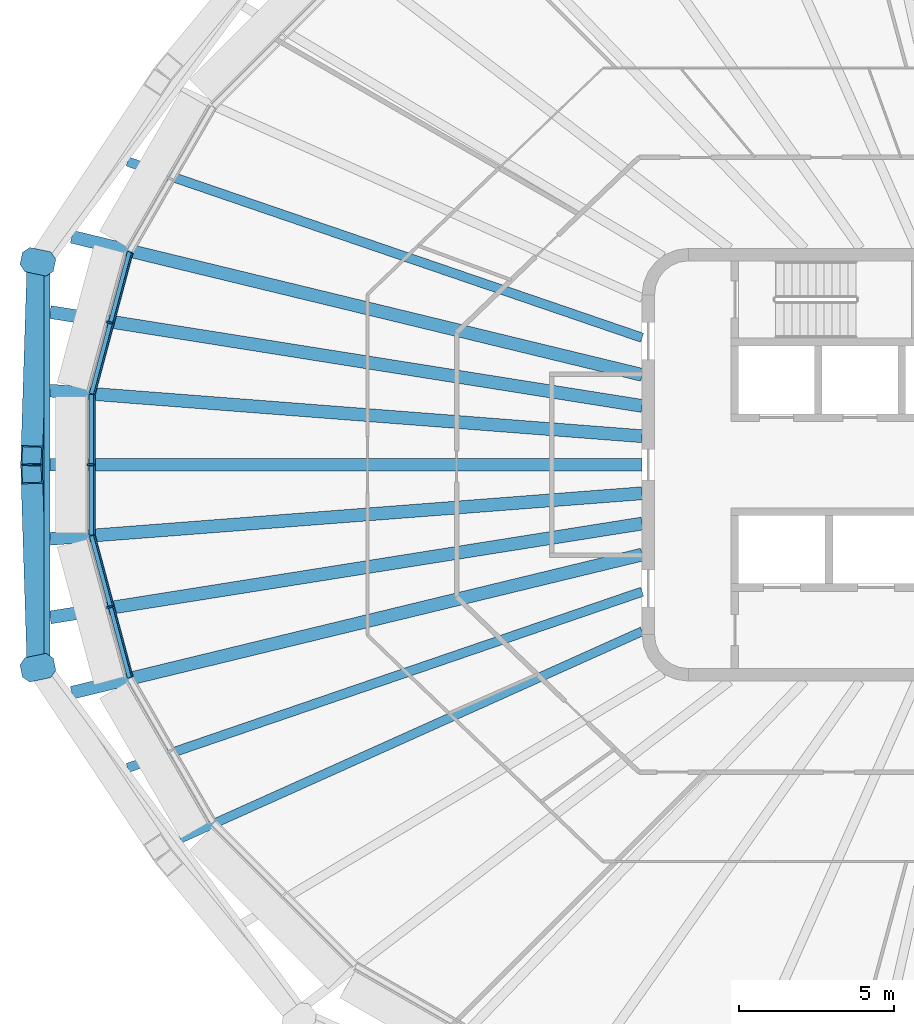
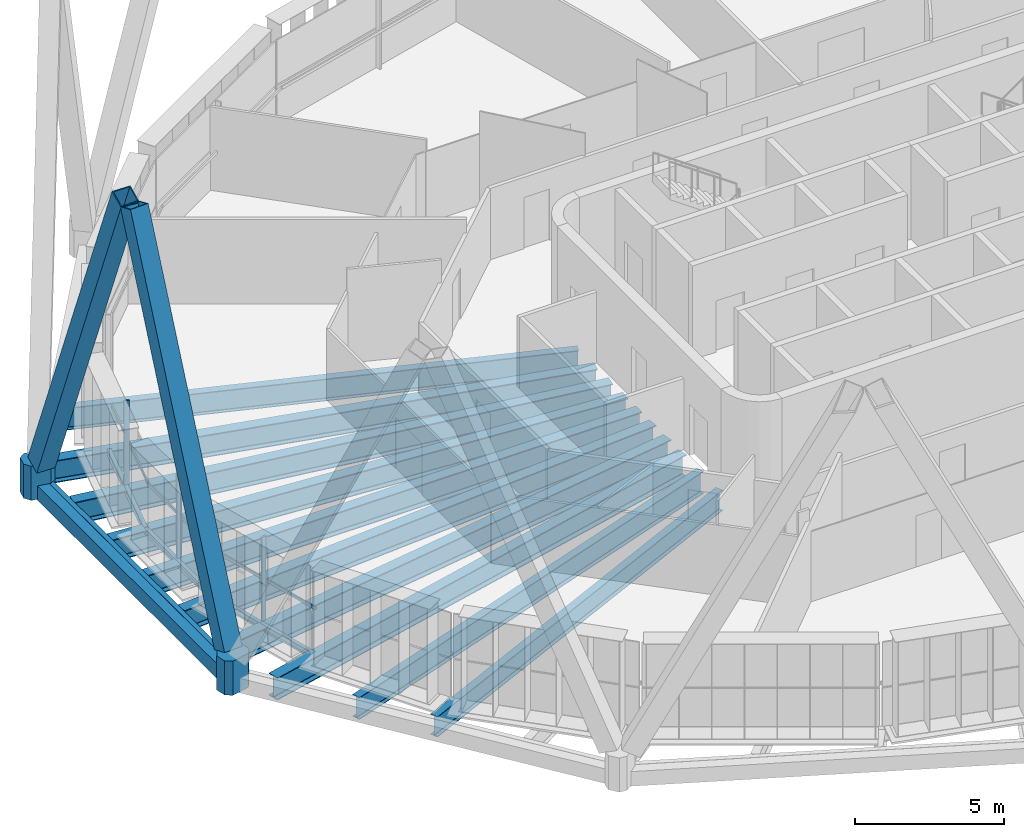
# One storey, part 3 of 20: 15 beams, 10 members, 3 elements without a shape of their own.
"""IFC4 building model written with IfcOpenShell, lengths in metres."""

from ifc_helpers import new_model, si_unit, direction, frame, origin, origin_2d, place, context, subcontext, project, spatial, polyline, rectangle, hollow_rectangle, i_section, outline, extrude, material, layer, layer_set, material_profile, profile_set, type_object, element, aggregate, save


model = new_model("IFC4")

# Units and contexts
model_context = context("Model", 3, precision=1e-05, world=origin(), true_north=direction((0.0, 1.0)))
body_context = subcontext(model_context, "Body", "Model", "MODEL_VIEW")
ifc_project = project(units=[si_unit("LENGTHUNIT", "METRE"), si_unit("AREAUNIT", "SQUARE_METRE"), si_unit("VOLUMEUNIT", "CUBIC_METRE"), si_unit("PLANEANGLEUNIT", "RADIAN"), si_unit("MASSUNIT", "GRAM", prefix="KILO")], contexts=[model_context])

# Site, building, storey
site_placement = place(None, origin())
site = spatial("IfcSite", under=ifc_project, at=site_placement, CompositionType="ELEMENT")
building_placement = place(site_placement, origin())
building = spatial("IfcBuilding", under=site, at=building_placement, Name="Sahrelin Media Tower", CompositionType="ELEMENT")
storey_placement = place(building_placement, frame((0.0, 0.0, 267.0)))
storey = spatial("IfcBuildingStorey", under=building, at=storey_placement, Name="L58", CompositionType="ELEMENT", Elevation=267.0)

# Members
ifc_material_1 = material(Name="Steel S460", Category="steel")
ifc_material_profile_1 = material_profile(ifc_material_1, hollow_rectangle(XDim=0.699951171875, YDim=0.699951171875, WallThickness=0.0400390625, at=origin_2d()), Name="Diagrid diagonal DG7")
ifc_profile_set_1 = profile_set([ifc_material_profile_1], Name="Steel S460")
member_type_1 = type_object("IfcMemberType", Name="Diagrid diagonal DG7", PredefinedType="BRACE", material=ifc_profile_set_1)
for number, where, z_axis, x_axis, name in (
    (1, (-31.559814453125, 6.279052734375, 0.699951171875), (-0.01206557884, -0.379632610131, 0.925058648483), (0.999495326566, -0.031766211178, 0.0), "Diagrid diagonal D13-11"),
    (2, (-31.559814453125, -6.279052734375, 0.699951171875), (-0.01206557884, 0.379632610131, 0.925058648483), (-0.999495326566, -0.031766211178, 0.0), "Diagrid diagonal D13-12"),
):
    element("IfcMember", number, at=place(storey_placement, frame(where, z_axis=z_axis, x_axis=x_axis)), inside=storey, type_object=member_type_1, Name=name, PredefinedType="BRACE", context=body_context, shape_type="SweptSolid", body=[
        extrude(hollow_rectangle(XDim=0.699951171875, YDim=0.699951171875, WallThickness=0.0400390625, at=origin_2d()), origin(), (0.0, 0.0, 1.0), 15.782958984375),
    ])
ifc_material_profile_2 = material_profile(ifc_material_1, outline(polyline([(0.35009765625, -0.39990234375), (0.550048828125, -0.199951171875), (0.550048828125, 0.199951171875), (0.35009765625, 0.39990234375), (-0.35009765625, 0.39990234375), (-0.550048828125, 0.199951171875), (-0.550048828125, -0.199951171875), (-0.35009765625, -0.39990234375), (0.35009765625, -0.39990234375)])), Name="Diagrid node block 1100")
ifc_profile_set_2 = profile_set([ifc_material_profile_2], Name="Steel S460")
member_type_2 = type_object("IfcMemberType", Name="Diagrid node block 1100", PredefinedType="USERDEFINED", material=ifc_profile_set_2)
for number, where, z_axis, x_axis, name in (
    (3, (-31.550537109375, 6.56640625, -0.699951171875), (0.0, 0.0, 1.0), (-0.979022008143, 0.203754527731, 0.0), "Diagrid node N13-05"),
    (4, (-31.550537109375, -6.56640625, -0.699951171875), (0.0, 0.0, 1.0), (-0.979022008143, -0.203754527731, 0.0), "Diagrid node N13-06"),
):
    element("IfcMember", number, at=place(storey_placement, frame(where, z_axis=z_axis, x_axis=x_axis)), inside=storey, type_object=member_type_2, Name=name, ObjectType="NODE", PredefinedType="USERDEFINED", context=body_context, shape_type="SweptSolid", body=[
        extrude(outline(polyline([(0.35009765625, -0.39990234375), (0.550048828125, -0.199951171875), (0.550048828125, 0.199951171875), (0.35009765625, 0.39990234375), (-0.35009765625, 0.39990234375), (-0.550048828125, 0.199951171875), (-0.550048828125, -0.199951171875), (-0.35009765625, -0.39990234375), (0.35009765625, -0.39990234375)])), origin(), (0.0, 0.0, 1.0), 1.39990234375),
    ])

# Beams
ifc_material_profile_3 = material_profile(ifc_material_1, hollow_rectangle(XDim=0.39990234375, YDim=0.60009765625, WallThickness=0.030029296875, at=origin_2d()), Name="Diagrid ring beam RB1")
ifc_profile_set_3 = profile_set([ifc_material_profile_3], Name="Steel S460")
beam_type_1 = type_object("IfcBeamType", Name="Diagrid ring beam RB1", PredefinedType="BEAM", material=ifc_profile_set_3)
beam_1_placement = place(storey_placement, frame((-31.550537109375, 6.56640625, -0.449951171875), z_axis=(0.0, -1.0, 0.0), x_axis=(1.0, 0.0, 0.0)))
element("IfcBeam", 5, at=beam_1_placement, inside=storey, type_object=beam_type_1, Name="Diagrid ring beam RB13-05", PredefinedType="BEAM", context=body_context, shape_type="SweptSolid", body=[
    extrude(hollow_rectangle(XDim=0.39990234375, YDim=0.60009765625, WallThickness=0.030029296875, at=origin_2d()), origin(), (0.0, 0.0, 1.0), 13.1328125),
])
ifc_material_2 = material(Name="Steel S355", Category="steel")
ifc_material_profile_4 = material_profile(ifc_material_2, i_section(OverallWidth=0.14599609375, OverallDepth=0.25146484375, WebThickness=0.006103515625, FlangeThickness=0.008544921875, FilletRadius=0.007568359375, at=origin_2d()), Name="UB 254x146x31")
ifc_profile_set_4 = profile_set([ifc_material_profile_4], Name="Steel S355")
beam_type_2 = type_object("IfcBeamType", Name="Edge beam EB1", PredefinedType="BEAM", material=ifc_profile_set_4)
beam_2_placement = place(storey_placement, frame((-28.583740234375, -6.885986328125, -0.275634765625), z_axis=(-0.258802068425, 0.965930375016, 0.0), x_axis=(-0.965930375016, -0.258802068425, 0.0)))
element("IfcBeam", 6, at=beam_2_placement, inside=storey, type_object=beam_type_2, Name="Edge beam L58-09", PredefinedType="BEAM", context=body_context, shape_type="SweptSolid", body=[
    extrude(i_section(OverallWidth=0.14599609375, OverallDepth=0.25146484375, WebThickness=0.006103515625, FlangeThickness=0.008544921875, FilletRadius=0.007568359375, at=origin_2d()), origin(), (0.0, 0.0, 1.0), 4.746826171875),
])
beam_3_placement = place(storey_placement, frame((-29.816162109375, -2.272216796875, -0.275634765625), z_axis=(0.0, 1.0, 0.0), x_axis=(-1.0, 0.0, 0.0)))
element("IfcBeam", 7, at=beam_3_placement, inside=storey, type_object=beam_type_2, Name="Edge beam L58-10", PredefinedType="BEAM", context=body_context, shape_type="SweptSolid", body=[
    extrude(i_section(OverallWidth=0.14599609375, OverallDepth=0.25146484375, WebThickness=0.006103515625, FlangeThickness=0.008544921875, FilletRadius=0.007568359375, at=origin_2d()), origin(), (0.0, 0.0, 1.0), 4.54443359375),
])
beam_4_placement = place(storey_placement, frame((-29.812255859375, 2.30078125, -0.275634765625), z_axis=(0.258802068425, 0.965930375016, 0.0), x_axis=(-0.965930375016, 0.258802068425, 0.0)))
element("IfcBeam", 8, at=beam_4_placement, inside=storey, type_object=beam_type_2, Name="Edge beam L58-11", PredefinedType="BEAM", context=body_context, shape_type="SweptSolid", body=[
    extrude(i_section(OverallWidth=0.14599609375, OverallDepth=0.25146484375, WebThickness=0.006103515625, FlangeThickness=0.008544921875, FilletRadius=0.007568359375, at=origin_2d()), origin(), (0.0, 0.0, 1.0), 4.746826171875),
])

# Curtain wall, member
ifc_material_3 = material(Name="Champagne anodised aluminium 6063-T6", Category="aluminium")
ifc_layer = layer(ifc_material_3, 0.14990234375)
ifc_layer_set = layer_set([ifc_layer], Name="Tower ribbon curtain wall")
curtain_wall_type = type_object("IfcCurtainWallType", Name="Tower ribbon curtain wall", PredefinedType="NOTDEFINED", material=ifc_layer_set)
curtain_wall_1_placement = place(storey_placement, frame((-29.343017578125, 4.632080078125, 0.0), z_axis=(0.0, 0.0, 1.0), x_axis=(1.0, 0.0, 0.0)))
curtain_wall_1 = element("IfcCurtainWall", 9, at=curtain_wall_1_placement, inside=storey, type_object=curtain_wall_type, Name="L58:CW:L58-11", PredefinedType="NOTDEFINED")
ifc_material_profile_5 = material_profile(ifc_material_3, rectangle(XDim=0.06005859375, YDim=0.199951171875, at=origin_2d()), Name="Mullion 60x200")
ifc_profile_set_5 = profile_set([ifc_material_profile_5], Name="Champagne anodised aluminium 6063-T6")
member_type_3 = type_object("IfcMemberType", Name="Mullion 60x200 CW1C", PredefinedType="MULLION", material=ifc_profile_set_5)
member_1_placement = place(storey_placement, frame((-29.22705078125, 4.60107421875, 0.0), z_axis=(0.0, 0.0, 1.0), x_axis=(-0.258812301662, -0.965927633163, 0.0)))
member_1 = element("IfcMember", 10, at=member_1_placement, type_object=member_type_3, Name="L58:CWM:L58-11", PredefinedType="MULLION", context=body_context, shape_type="SweptSolid", body=[
    extrude(rectangle(XDim=0.06005859375, YDim=0.199951171875, at=origin_2d()), origin(), (0.0, 0.0, 1.0), 3.448486328125),
])

curtain_wall_2_placement = place(storey_placement, frame((-29.966064453125, 0.0, 0.0), z_axis=(0.0, 0.0, 1.0), x_axis=(1.0, 0.0, 0.0)))
curtain_wall_2 = element("IfcCurtainWall", 11, at=curtain_wall_2_placement, inside=storey, type_object=curtain_wall_type, Name="L58:CW:L58-12", PredefinedType="NOTDEFINED")
member_2_placement = place(storey_placement, frame((-29.84619140625, 0.0, 0.0), z_axis=(0.0, 0.0, 1.0), x_axis=(0.0, -1.0, 0.0)))
member_2 = element("IfcMember", 12, at=member_2_placement, type_object=member_type_3, Name="L58:CWM:L58-12", PredefinedType="MULLION", context=body_context, shape_type="SweptSolid", body=[
    extrude(rectangle(XDim=0.06005859375, YDim=0.199951171875, at=origin_2d()), origin(), (0.0, 0.0, 1.0), 3.448486328125),
])

curtain_wall_3_placement = place(storey_placement, frame((-29.343017578125, -4.632080078125, 0.0), z_axis=(0.0, 0.0, 1.0), x_axis=(1.0, 0.0, 0.0)))
curtain_wall_3 = element("IfcCurtainWall", 13, at=curtain_wall_3_placement, inside=storey, type_object=curtain_wall_type, Name="L58:CW:L58-13", PredefinedType="NOTDEFINED")
member_3_placement = place(storey_placement, frame((-29.22705078125, -4.60107421875, 0.0), z_axis=(0.0, 0.0, 1.0), x_axis=(0.258812301662, -0.965927633163, 0.0)))
member_3 = element("IfcMember", 14, at=member_3_placement, type_object=member_type_3, Name="L58:CWM:L58-13", PredefinedType="MULLION", context=body_context, shape_type="SweptSolid", body=[
    extrude(rectangle(XDim=0.06005859375, YDim=0.199951171875, at=origin_2d()), origin(), (0.0, 0.0, 1.0), 3.448486328125),
])

# Beams
ifc_material_profile_6 = material_profile(ifc_material_2, i_section(OverallWidth=0.291748046875, OverallDepth=0.8349609375, WebThickness=0.013916015625, FlangeThickness=0.018798828125, FilletRadius=0.017822265625, at=origin_2d()), Name="UB 838x292x176")
ifc_profile_set_6 = profile_set([ifc_material_profile_6], Name="Steel S355")
beam_type_3 = type_object("IfcBeamType", Name="Radial primary beam PB10", PredefinedType="BEAM", material=ifc_profile_set_6)
beam_5_placement = place(storey_placement, frame((-12.0, -5.39013671875, -0.5673828125), z_axis=(-0.912200990359, -0.409743033116, 0.0), x_axis=(0.409743033116, -0.912200990359, 0.0)))
element("IfcBeam", 15, at=beam_5_placement, inside=storey, type_object=beam_type_3, Name="Radial beam L58-15", PredefinedType="BEAM", context=body_context, shape_type="SweptSolid", body=[
    extrude(i_section(OverallWidth=0.291748046875, OverallDepth=0.8349609375, WebThickness=0.013916015625, FlangeThickness=0.018798828125, FilletRadius=0.017822265625, at=origin_2d()), origin(), (0.0, 0.0, 1.0), 16.38134765625),
])
ifc_material_profile_7 = material_profile(ifc_material_2, i_section(OverallWidth=0.41845703125, OverallDepth=0.911865234375, WebThickness=0.019287109375, FlangeThickness=0.031982421875, FilletRadius=0.024169921875, at=origin_2d()), Name="UB 914x419x343")
ifc_profile_set_7 = profile_set([ifc_material_profile_7], Name="Steel S355")
beam_type_4 = type_object("IfcBeamType", Name="Radial primary beam PB12", PredefinedType="BEAM", material=ifc_profile_set_7)
beam_6_placement = place(storey_placement, frame((-12.0, 2.9072265625, -0.60595703125), z_axis=(-0.97188497596, 0.235456139235, 0.0), x_axis=(-0.235456139235, -0.97188497596, 0.0)))
element("IfcBeam", 16, at=beam_6_placement, inside=storey, type_object=beam_type_4, Name="Radial beam L58-11", PredefinedType="BEAM", context=body_context, shape_type="SweptSolid", body=[
    extrude(i_section(OverallWidth=0.41845703125, OverallDepth=0.911865234375, WebThickness=0.019287109375, FlangeThickness=0.031982421875, FilletRadius=0.024169921875, at=origin_2d()), origin(), (0.0, 0.0, 1.0), 18.988525390625),
])
for number, where, z_axis, x_axis, name in (
    (17, (-12.0, 0.923583984375, -0.60595703125), (-0.997050971133, 0.076742171994, 0.0), (-0.076742171994, -0.997050971133, 0.0), "Radial beam L58-12"),
    (18, (-12.0, -0.923583984375, -0.60595703125), (-0.997050971133, -0.076742171994, 0.0), (0.076742171994, -0.997050971133, 0.0), "Radial beam L58-13"),
):
    element("IfcBeam", number, at=place(storey_placement, frame(where, z_axis=z_axis, x_axis=x_axis)), inside=storey, type_object=beam_type_4, Name=name, PredefinedType="BEAM", context=body_context, shape_type="SweptSolid", body=[
        extrude(i_section(OverallWidth=0.41845703125, OverallDepth=0.911865234375, WebThickness=0.019287109375, FlangeThickness=0.031982421875, FilletRadius=0.024169921875, at=origin_2d()), origin(), (0.0, 0.0, 1.0), 19.2119140625),
    ])
beam_7_placement = place(storey_placement, frame((-12.0, -2.9072265625, -0.60595703125), z_axis=(-0.97188497596, -0.235456139235, 0.0), x_axis=(0.235456139235, -0.97188497596, 0.0)))
element("IfcBeam", 19, at=beam_7_placement, inside=storey, type_object=beam_type_4, Name="Radial beam L58-14", PredefinedType="BEAM", context=body_context, shape_type="SweptSolid", body=[
    extrude(i_section(OverallWidth=0.41845703125, OverallDepth=0.911865234375, WebThickness=0.019287109375, FlangeThickness=0.031982421875, FilletRadius=0.024169921875, at=origin_2d()), origin(), (0.0, 0.0, 1.0), 18.988525390625),
])
ifc_material_profile_8 = material_profile(ifc_material_2, i_section(OverallWidth=0.30322265625, OverallDepth=0.903076171875, WebThickness=0.01513671875, FlangeThickness=0.020263671875, FilletRadius=0.01904296875, at=origin_2d()), Name="UB 914x305x201")
ifc_profile_set_8 = profile_set([ifc_material_profile_8], Name="Steel S355")
beam_type_5 = type_object("IfcBeamType", Name="Radial secondary beam SB11", PredefinedType="BEAM", material=ifc_profile_set_8)
for number, where, z_axis, x_axis, name in (
    (20, (-12.0, 4.109375, -0.6015625), (-0.946063855962, 0.323980216128, 0.0), (-0.323980216128, -0.946063855962, 0.0), "Secondary beam L58-10"),
    (21, (-12.0, -4.109375, -0.6015625), (-0.946063855962, -0.323980216128, 0.0), (0.323980216128, -0.946063855962, 0.0), "Secondary beam L58-14"),
):
    element("IfcBeam", number, at=place(storey_placement, frame(where, z_axis=z_axis, x_axis=x_axis)), inside=storey, type_object=beam_type_5, Name=name, PredefinedType="BEAM", context=body_context, shape_type="SweptSolid", body=[
        extrude(i_section(OverallWidth=0.30322265625, OverallDepth=0.903076171875, WebThickness=0.01513671875, FlangeThickness=0.020263671875, FilletRadius=0.01904296875, at=origin_2d()), origin(), (0.0, 0.0, 1.0), 17.595703125),
    ])
ifc_material_profile_9 = material_profile(ifc_material_2, i_section(OverallWidth=0.41845703125, OverallDepth=0.911865234375, WebThickness=0.019287109375, FlangeThickness=0.031982421875, FilletRadius=0.024169921875, at=origin_2d()), Name="UB 914x419x343")
ifc_profile_set_9 = profile_set([ifc_material_profile_9], Name="Steel S355")
beam_type_6 = type_object("IfcBeamType", Name="Radial secondary beam SB12", PredefinedType="BEAM", material=ifc_profile_set_9)
beam_8_placement = place(storey_placement, frame((-12.0, 1.90283203125, -0.60595703125), z_axis=(-0.987660790786, 0.156608308669, 0.0), x_axis=(-0.156608308669, -0.987660790786, 0.0)))
element("IfcBeam", 22, at=beam_8_placement, inside=storey, type_object=beam_type_6, Name="Secondary beam L58-11", PredefinedType="BEAM", context=body_context, shape_type="SweptSolid", body=[
    extrude(i_section(OverallWidth=0.41845703125, OverallDepth=0.911865234375, WebThickness=0.019287109375, FlangeThickness=0.031982421875, FilletRadius=0.024169921875, at=origin_2d()), origin(), (0.0, 0.0, 1.0), 19.39453125),
])
beam_9_placement = place(storey_placement, frame((-12.0, 0.0, -0.60595703125), z_axis=(-1.0, 0.0, 0.0), x_axis=(0.0, -1.0, 0.0)))
element("IfcBeam", 23, at=beam_9_placement, inside=storey, type_object=beam_type_6, Name="Secondary beam L58-12", PredefinedType="BEAM", context=body_context, shape_type="SweptSolid", body=[
    extrude(i_section(OverallWidth=0.41845703125, OverallDepth=0.911865234375, WebThickness=0.019287109375, FlangeThickness=0.031982421875, FilletRadius=0.024169921875, at=origin_2d()), origin(), (0.0, 0.0, 1.0), 19.1552734375),
])
beam_10_placement = place(storey_placement, frame((-12.0, -1.90283203125, -0.60595703125), z_axis=(-0.987660790786, -0.156608308669, 0.0), x_axis=(0.156608308669, -0.987660790786, 0.0)))
element("IfcBeam", 24, at=beam_10_placement, inside=storey, type_object=beam_type_6, Name="Secondary beam L58-13", PredefinedType="BEAM", context=body_context, shape_type="SweptSolid", body=[
    extrude(i_section(OverallWidth=0.41845703125, OverallDepth=0.911865234375, WebThickness=0.019287109375, FlangeThickness=0.031982421875, FilletRadius=0.024169921875, at=origin_2d()), origin(), (0.0, 0.0, 1.0), 19.39453125),
])
ifc_material_profile_10 = material_profile(ifc_material_2, i_section(OverallWidth=0.1904296875, OverallDepth=0.45703125, WebThickness=0.009033203125, FlangeThickness=0.014404296875, FilletRadius=0.01025390625, at=origin_2d()), Name="UB 457x191x74")
ifc_profile_set_10 = profile_set([ifc_material_profile_10], Name="Steel S355")
beam_type_7 = type_object("IfcBeamType", Name="Tie chord TC5", PredefinedType="BEAM", material=ifc_profile_set_10)
beam_11_placement = place(storey_placement, frame((-31.25048828125, -6.466796875, -0.37841796875), z_axis=(0.0, 1.0, 0.0), x_axis=(-1.0, 0.0, 0.0)))
element("IfcBeam", 25, at=beam_11_placement, inside=storey, type_object=beam_type_7, Name="Tie chord L58-07", PredefinedType="BEAM", context=body_context, shape_type="SweptSolid", body=[
    extrude(i_section(OverallWidth=0.1904296875, OverallDepth=0.45703125, WebThickness=0.009033203125, FlangeThickness=0.014404296875, FilletRadius=0.01025390625, at=origin_2d()), origin(), (0.0, 0.0, 1.0), 12.93359375),
])

# Member
ifc_material_profile_11 = material_profile(ifc_material_3, rectangle(XDim=0.050048828125, YDim=0.1201171875, at=origin_2d()), Name="Transom 50x120")
ifc_profile_set_11 = profile_set([ifc_material_profile_11], Name="Champagne anodised aluminium 6063-T6")
member_type_4 = type_object("IfcMemberType", Name="Transom 50x120 CW1C", PredefinedType="USERDEFINED", material=ifc_profile_set_11)
member_4_placement = place(storey_placement, frame((-28.49609375, 6.84619140625, 1.60009765625), z_axis=(-0.258825801633, -0.965924015857, 0.0), x_axis=(0.965924015857, -0.258825801633, 0.0)))
member_4 = element("IfcMember", 26, at=member_4_placement, type_object=member_type_4, Name="L58:CWT:L58-11", ObjectType="TRANSOM", PredefinedType="USERDEFINED", context=body_context, shape_type="SweptSolid", body=[
    extrude(rectangle(XDim=0.050048828125, YDim=0.1201171875, at=origin_2d()), origin(), (0.0, 0.0, 1.0), 4.71533203125),
])

aggregate(curtain_wall_1, [member_1, member_4])

member_5_placement = place(storey_placement, frame((-29.72119140625, 2.256591796875, 1.60009765625), z_axis=(0.0, -1.0, 0.0), x_axis=(1.0, 0.0, 0.0)))
member_5 = element("IfcMember", 27, at=member_5_placement, type_object=member_type_4, Name="L58:CWT:L58-12", ObjectType="TRANSOM", PredefinedType="USERDEFINED", context=body_context, shape_type="SweptSolid", body=[
    extrude(rectangle(XDim=0.050048828125, YDim=0.1201171875, at=origin_2d()), origin(), (0.0, 0.0, 1.0), 4.51318359375),
])

aggregate(curtain_wall_2, [member_2, member_5])

member_6_placement = place(storey_placement, frame((-29.716552734375, -2.29150390625, 1.60009765625), z_axis=(0.258825801633, -0.965924015857, 0.0), x_axis=(0.965924015857, 0.258825801633, 0.0)))
member_6 = element("IfcMember", 28, at=member_6_placement, type_object=member_type_4, Name="L58:CWT:L58-13", ObjectType="TRANSOM", PredefinedType="USERDEFINED", context=body_context, shape_type="SweptSolid", body=[
    extrude(rectangle(XDim=0.050048828125, YDim=0.1201171875, at=origin_2d()), origin(), (0.0, 0.0, 1.0), 4.71533203125),
])

aggregate(curtain_wall_3, [member_3, member_6])

save(model, "model.ifc")
